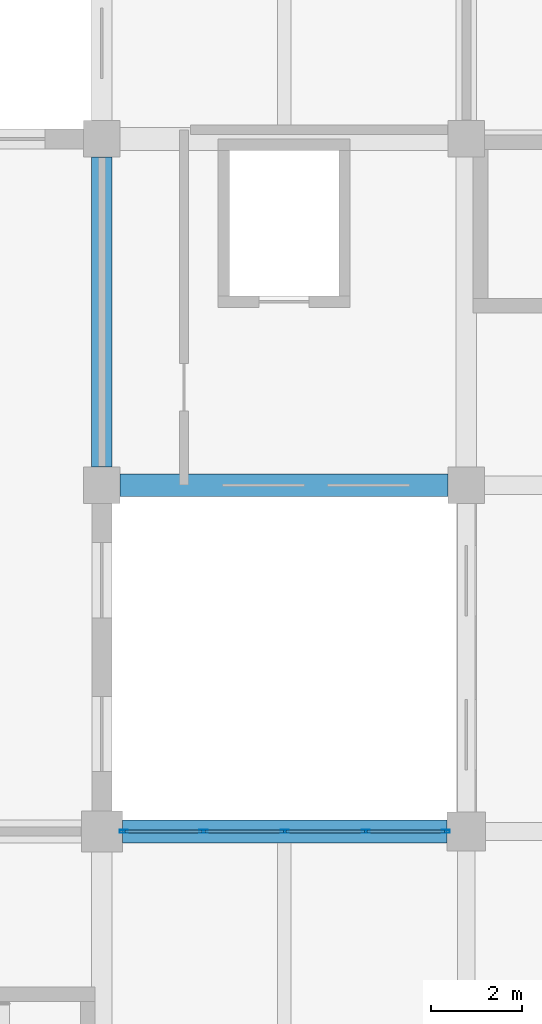
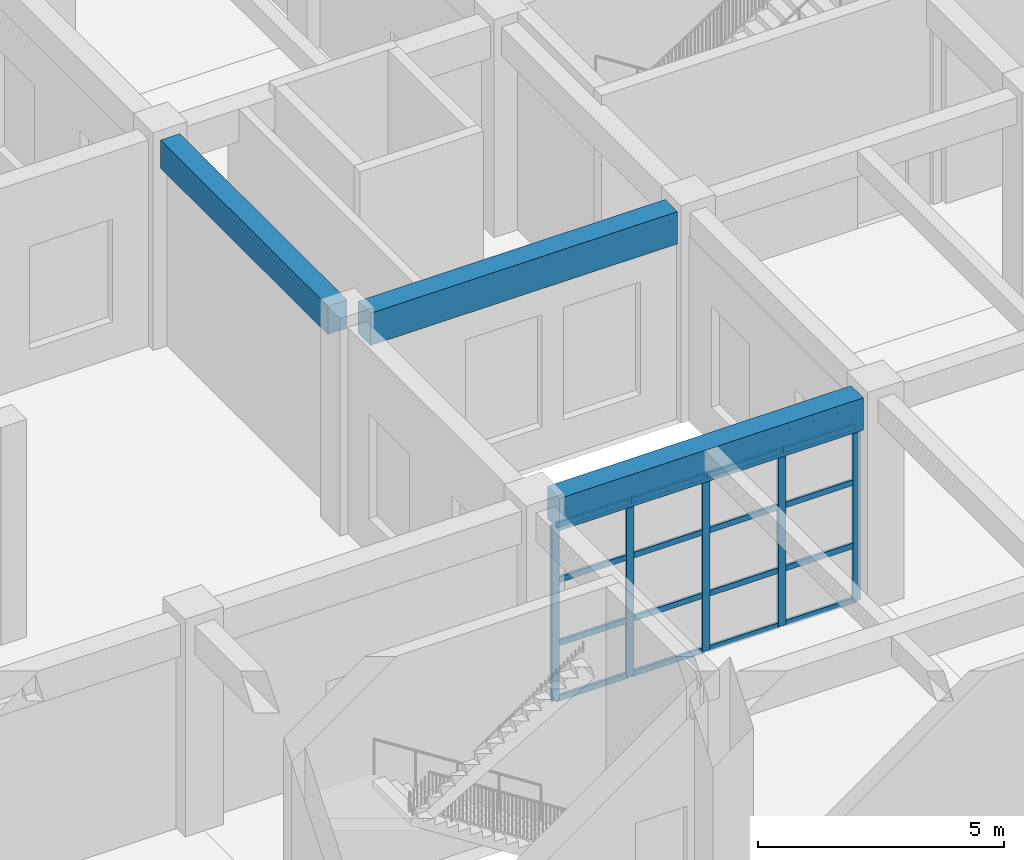
# One storey, part 45 of 95: 21 members, 3 beams, 1 element without a shape of its own.
"""IFC4 building model written with IfcOpenShell, lengths in metres."""

from ifc_helpers import new_model, si_unit, direction, frame, origin, origin_2d, place, context, subcontext, project, spatial, rectangle, hollow_rectangle, extrude, material, material_profile, profile_set, type_object, element, aggregate, save


model = new_model("IFC4")

# Units and contexts
model_context = context("Model", 3, precision=1e-05, world=origin(), true_north=direction((0.0, 1.0)))
body_context = subcontext(model_context, "Body", "Model", "MODEL_VIEW")
ifc_project = project(units=[si_unit("LENGTHUNIT", "METRE"), si_unit("AREAUNIT", "SQUARE_METRE"), si_unit("VOLUMEUNIT", "CUBIC_METRE"), si_unit("PLANEANGLEUNIT", "RADIAN"), si_unit("MASSUNIT", "GRAM", prefix="KILO")], contexts=[model_context])

# Site, building, storey
site_placement = place(None, origin())
site = spatial("IfcSite", under=ifc_project, at=site_placement, CompositionType="ELEMENT")
building_placement = place(site_placement, origin())
building = spatial("IfcBuilding", under=site, at=building_placement, Name="Zantavel Square City Hall", CompositionType="ELEMENT")
storey_placement = place(building_placement, origin())
storey = spatial("IfcBuildingStorey", under=building, at=storey_placement, Name="L01", CompositionType="ELEMENT", Elevation=0.0)

# Curtain wall, members
ifc_material_1 = material(Name="Anodised aluminium 6063-T6", Category="aluminium")
curtain_wall_type = type_object("IfcCurtainWallType", Name="Curtain Wall TRV1 7125x4360", PredefinedType="USERDEFINED", material=ifc_material_1)
curtain_wall_placement = place(storey_placement, origin())
curtain_wall = element("IfcCurtainWall", 1, at=curtain_wall_placement, inside=storey, type_object=curtain_wall_type, Name="L01 Glazed Curtain Wall CW-L01-020", ObjectType="GLAZED CURTAIN WALL", PredefinedType="USERDEFINED")
ifc_material_profile_1 = material_profile(ifc_material_1, hollow_rectangle(XDim=0.06494140625, YDim=0.179931640625, WallThickness=0.00390625, at=origin_2d()), Name="ALU 65x180x4")
ifc_profile_set_1 = profile_set([ifc_material_profile_1], Name="Anodised aluminium 6063-T6")
member_type_1 = type_object("IfcMemberType", Name="CW Mullion ALU 65x180x4", PredefinedType="MULLION", material=ifc_profile_set_1)
member_1_placement = place(storey_placement, frame((104.47998046875, 68.39990234375, 0.0), z_axis=(0.0, 0.0, 1.0), x_axis=(0.0, 1.0, 0.0)))
member_1 = element("IfcMember", 2, at=member_1_placement, type_object=member_type_1, Name="CW-020 mullion 1", PredefinedType="MULLION", context=body_context, shape_type="SweptSolid", body=[
    extrude(hollow_rectangle(XDim=0.06494140625, YDim=0.179931640625, WallThickness=0.00390625, at=origin_2d()), origin(), (0.0, 0.0, 1.0), 4.360107421875),
])
member_2_placement = place(storey_placement, frame((106.231201171875, 68.39990234375, 0.0), z_axis=(0.0, 0.0, 1.0), x_axis=(0.0, 1.0, 0.0)))
member_2 = element("IfcMember", 3, at=member_2_placement, type_object=member_type_1, Name="CW-020 mullion 2", PredefinedType="MULLION", context=body_context, shape_type="SweptSolid", body=[
    extrude(hollow_rectangle(XDim=0.06494140625, YDim=0.179931640625, WallThickness=0.00390625, at=origin_2d()), origin(), (0.0, 0.0, 1.0), 4.360107421875),
])
member_3_placement = place(storey_placement, frame((108.012451171875, 68.39990234375, 0.0), z_axis=(0.0, 0.0, 1.0), x_axis=(0.0, 1.0, 0.0)))
member_3 = element("IfcMember", 4, at=member_3_placement, type_object=member_type_1, Name="CW-020 mullion 3", PredefinedType="MULLION", context=body_context, shape_type="SweptSolid", body=[
    extrude(hollow_rectangle(XDim=0.06494140625, YDim=0.179931640625, WallThickness=0.00390625, at=origin_2d()), origin(), (0.0, 0.0, 1.0), 4.360107421875),
])
member_4_placement = place(storey_placement, frame((109.793701171875, 68.39990234375, 0.0), z_axis=(0.0, 0.0, 1.0), x_axis=(0.0, 1.0, 0.0)))
member_4 = element("IfcMember", 5, at=member_4_placement, type_object=member_type_1, Name="CW-020 mullion 4", PredefinedType="MULLION", context=body_context, shape_type="SweptSolid", body=[
    extrude(hollow_rectangle(XDim=0.06494140625, YDim=0.179931640625, WallThickness=0.00390625, at=origin_2d()), origin(), (0.0, 0.0, 1.0), 4.360107421875),
])
member_5_placement = place(storey_placement, frame((111.544921875, 68.39990234375, 0.0), z_axis=(0.0, 0.0, 1.0), x_axis=(0.0, 1.0, 0.0)))
member_5 = element("IfcMember", 6, at=member_5_placement, type_object=member_type_1, Name="CW-020 mullion 5", PredefinedType="MULLION", context=body_context, shape_type="SweptSolid", body=[
    extrude(hollow_rectangle(XDim=0.06494140625, YDim=0.179931640625, WallThickness=0.00390625, at=origin_2d()), origin(), (0.0, 0.0, 1.0), 4.360107421875),
])
ifc_material_profile_2 = material_profile(ifc_material_1, hollow_rectangle(XDim=0.06005859375, YDim=0.139892578125, WallThickness=0.00390625, at=origin_2d()), Name="ALU 60x140x4")
ifc_profile_set_2 = profile_set([ifc_material_profile_2], Name="Anodised aluminium 6063-T6")
member_type_2 = type_object("IfcMemberType", Name="CW Transom ALU 60x140x4", PredefinedType="USERDEFINED", material=ifc_profile_set_2)
member_6_placement = place(storey_placement, frame((104.510009765625, 68.39990234375, 0.030029296875), z_axis=(1.0, 0.0, 0.0), x_axis=(0.0, 1.0, 0.0)))
member_6 = element("IfcMember", 7, at=member_6_placement, type_object=member_type_2, Name="CW-020 transom 1.1", ObjectType="TRANSOM", PredefinedType="USERDEFINED", context=body_context, shape_type="SweptSolid", body=[
    extrude(hollow_rectangle(XDim=0.06005859375, YDim=0.139892578125, WallThickness=0.00390625, at=origin_2d()), origin(), (0.0, 0.0, 1.0), 1.691162109375),
])
member_7_placement = place(storey_placement, frame((104.510009765625, 68.39990234375, 1.39501953125), z_axis=(1.0, 0.0, 0.0), x_axis=(0.0, 1.0, 0.0)))
member_7 = element("IfcMember", 8, at=member_7_placement, type_object=member_type_2, Name="CW-020 transom 1.2", ObjectType="TRANSOM", PredefinedType="USERDEFINED", context=body_context, shape_type="SweptSolid", body=[
    extrude(hollow_rectangle(XDim=0.06005859375, YDim=0.139892578125, WallThickness=0.00390625, at=origin_2d()), origin(), (0.0, 0.0, 1.0), 1.691162109375),
])
member_8_placement = place(storey_placement, frame((104.510009765625, 68.39990234375, 2.965087890625), z_axis=(1.0, 0.0, 0.0), x_axis=(0.0, 1.0, 0.0)))
member_8 = element("IfcMember", 9, at=member_8_placement, type_object=member_type_2, Name="CW-020 transom 1.3", ObjectType="TRANSOM", PredefinedType="USERDEFINED", context=body_context, shape_type="SweptSolid", body=[
    extrude(hollow_rectangle(XDim=0.06005859375, YDim=0.139892578125, WallThickness=0.00390625, at=origin_2d()), origin(), (0.0, 0.0, 1.0), 1.691162109375),
])
member_9_placement = place(storey_placement, frame((104.510009765625, 68.39990234375, 4.330078125), z_axis=(1.0, 0.0, 0.0), x_axis=(0.0, 1.0, 0.0)))
member_9 = element("IfcMember", 10, at=member_9_placement, type_object=member_type_2, Name="CW-020 transom 1.4", ObjectType="TRANSOM", PredefinedType="USERDEFINED", context=body_context, shape_type="SweptSolid", body=[
    extrude(hollow_rectangle(XDim=0.06005859375, YDim=0.139892578125, WallThickness=0.00390625, at=origin_2d()), origin(), (0.0, 0.0, 1.0), 1.691162109375),
])
member_10_placement = place(storey_placement, frame((106.26123046875, 68.39990234375, 0.030029296875), z_axis=(1.0, 0.0, 0.0), x_axis=(0.0, 1.0, 0.0)))
member_10 = element("IfcMember", 11, at=member_10_placement, type_object=member_type_2, Name="CW-020 transom 2.1", ObjectType="TRANSOM", PredefinedType="USERDEFINED", context=body_context, shape_type="SweptSolid", body=[
    extrude(hollow_rectangle(XDim=0.06005859375, YDim=0.139892578125, WallThickness=0.00390625, at=origin_2d()), origin(), (0.0, 0.0, 1.0), 1.72119140625),
])
member_11_placement = place(storey_placement, frame((106.26123046875, 68.39990234375, 1.39501953125), z_axis=(1.0, 0.0, 0.0), x_axis=(0.0, 1.0, 0.0)))
member_11 = element("IfcMember", 12, at=member_11_placement, type_object=member_type_2, Name="CW-020 transom 2.2", ObjectType="TRANSOM", PredefinedType="USERDEFINED", context=body_context, shape_type="SweptSolid", body=[
    extrude(hollow_rectangle(XDim=0.06005859375, YDim=0.139892578125, WallThickness=0.00390625, at=origin_2d()), origin(), (0.0, 0.0, 1.0), 1.72119140625),
])
member_12_placement = place(storey_placement, frame((106.26123046875, 68.39990234375, 2.965087890625), z_axis=(1.0, 0.0, 0.0), x_axis=(0.0, 1.0, 0.0)))
member_12 = element("IfcMember", 13, at=member_12_placement, type_object=member_type_2, Name="CW-020 transom 2.3", ObjectType="TRANSOM", PredefinedType="USERDEFINED", context=body_context, shape_type="SweptSolid", body=[
    extrude(hollow_rectangle(XDim=0.06005859375, YDim=0.139892578125, WallThickness=0.00390625, at=origin_2d()), origin(), (0.0, 0.0, 1.0), 1.72119140625),
])
member_13_placement = place(storey_placement, frame((106.26123046875, 68.39990234375, 4.330078125), z_axis=(1.0, 0.0, 0.0), x_axis=(0.0, 1.0, 0.0)))
member_13 = element("IfcMember", 14, at=member_13_placement, type_object=member_type_2, Name="CW-020 transom 2.4", ObjectType="TRANSOM", PredefinedType="USERDEFINED", context=body_context, shape_type="SweptSolid", body=[
    extrude(hollow_rectangle(XDim=0.06005859375, YDim=0.139892578125, WallThickness=0.00390625, at=origin_2d()), origin(), (0.0, 0.0, 1.0), 1.72119140625),
])
member_14_placement = place(storey_placement, frame((108.04248046875, 68.39990234375, 0.030029296875), z_axis=(1.0, 0.0, 0.0), x_axis=(0.0, 1.0, 0.0)))
member_14 = element("IfcMember", 15, at=member_14_placement, type_object=member_type_2, Name="CW-020 transom 3.1", ObjectType="TRANSOM", PredefinedType="USERDEFINED", context=body_context, shape_type="SweptSolid", body=[
    extrude(hollow_rectangle(XDim=0.06005859375, YDim=0.139892578125, WallThickness=0.00390625, at=origin_2d()), origin(), (0.0, 0.0, 1.0), 1.72119140625),
])
member_15_placement = place(storey_placement, frame((108.04248046875, 68.39990234375, 1.39501953125), z_axis=(1.0, 0.0, 0.0), x_axis=(0.0, 1.0, 0.0)))
member_15 = element("IfcMember", 16, at=member_15_placement, type_object=member_type_2, Name="CW-020 transom 3.2", ObjectType="TRANSOM", PredefinedType="USERDEFINED", context=body_context, shape_type="SweptSolid", body=[
    extrude(hollow_rectangle(XDim=0.06005859375, YDim=0.139892578125, WallThickness=0.00390625, at=origin_2d()), origin(), (0.0, 0.0, 1.0), 1.72119140625),
])
member_16_placement = place(storey_placement, frame((108.04248046875, 68.39990234375, 2.965087890625), z_axis=(1.0, 0.0, 0.0), x_axis=(0.0, 1.0, 0.0)))
member_16 = element("IfcMember", 17, at=member_16_placement, type_object=member_type_2, Name="CW-020 transom 3.3", ObjectType="TRANSOM", PredefinedType="USERDEFINED", context=body_context, shape_type="SweptSolid", body=[
    extrude(hollow_rectangle(XDim=0.06005859375, YDim=0.139892578125, WallThickness=0.00390625, at=origin_2d()), origin(), (0.0, 0.0, 1.0), 1.72119140625),
])
member_17_placement = place(storey_placement, frame((108.04248046875, 68.39990234375, 4.330078125), z_axis=(1.0, 0.0, 0.0), x_axis=(0.0, 1.0, 0.0)))
member_17 = element("IfcMember", 18, at=member_17_placement, type_object=member_type_2, Name="CW-020 transom 3.4", ObjectType="TRANSOM", PredefinedType="USERDEFINED", context=body_context, shape_type="SweptSolid", body=[
    extrude(hollow_rectangle(XDim=0.06005859375, YDim=0.139892578125, WallThickness=0.00390625, at=origin_2d()), origin(), (0.0, 0.0, 1.0), 1.72119140625),
])
member_18_placement = place(storey_placement, frame((109.82373046875, 68.39990234375, 0.030029296875), z_axis=(1.0, 0.0, 0.0), x_axis=(0.0, 1.0, 0.0)))
member_18 = element("IfcMember", 19, at=member_18_placement, type_object=member_type_2, Name="CW-020 transom 4.1", ObjectType="TRANSOM", PredefinedType="USERDEFINED", context=body_context, shape_type="SweptSolid", body=[
    extrude(hollow_rectangle(XDim=0.06005859375, YDim=0.139892578125, WallThickness=0.00390625, at=origin_2d()), origin(), (0.0, 0.0, 1.0), 1.691162109375),
])
member_19_placement = place(storey_placement, frame((109.82373046875, 68.39990234375, 1.39501953125), z_axis=(1.0, 0.0, 0.0), x_axis=(0.0, 1.0, 0.0)))
member_19 = element("IfcMember", 20, at=member_19_placement, type_object=member_type_2, Name="CW-020 transom 4.2", ObjectType="TRANSOM", PredefinedType="USERDEFINED", context=body_context, shape_type="SweptSolid", body=[
    extrude(hollow_rectangle(XDim=0.06005859375, YDim=0.139892578125, WallThickness=0.00390625, at=origin_2d()), origin(), (0.0, 0.0, 1.0), 1.691162109375),
])
member_20_placement = place(storey_placement, frame((109.82373046875, 68.39990234375, 2.965087890625), z_axis=(1.0, 0.0, 0.0), x_axis=(0.0, 1.0, 0.0)))
member_20 = element("IfcMember", 21, at=member_20_placement, type_object=member_type_2, Name="CW-020 transom 4.3", ObjectType="TRANSOM", PredefinedType="USERDEFINED", context=body_context, shape_type="SweptSolid", body=[
    extrude(hollow_rectangle(XDim=0.06005859375, YDim=0.139892578125, WallThickness=0.00390625, at=origin_2d()), origin(), (0.0, 0.0, 1.0), 1.691162109375),
])
member_21_placement = place(storey_placement, frame((109.82373046875, 68.39990234375, 4.330078125), z_axis=(1.0, 0.0, 0.0), x_axis=(0.0, 1.0, 0.0)))
member_21 = element("IfcMember", 22, at=member_21_placement, type_object=member_type_2, Name="CW-020 transom 4.4", ObjectType="TRANSOM", PredefinedType="USERDEFINED", context=body_context, shape_type="SweptSolid", body=[
    extrude(hollow_rectangle(XDim=0.06005859375, YDim=0.139892578125, WallThickness=0.00390625, at=origin_2d()), origin(), (0.0, 0.0, 1.0), 1.691162109375),
])
aggregate(curtain_wall, [member_1, member_2, member_3, member_4, member_5, member_6, member_7, member_8, member_9, member_10, member_11, member_12, member_13, member_14, member_15, member_16, member_17, member_18, member_19, member_20, member_21])

# Beams
ifc_material_2 = material(Name="Concrete C35/45", Category="concrete")
ifc_material_profile_3 = material_profile(ifc_material_2, rectangle(XDim=0.449951171875, YDim=0.699951171875, at=origin_2d()), Name="RC 450x700")
ifc_profile_set_3 = profile_set([ifc_material_profile_3], Name="Concrete C35/45")
beam_type_1 = type_object("IfcBeamType", Name="Primary Girder RC 450x700 C35/45", PredefinedType="BEAM", material=ifc_profile_set_3)
beam_1_placement = place(storey_placement, frame((104.0, 76.39990234375, 4.81005859375), z_axis=(0.0, 1.0, 0.0), x_axis=(-1.0, 0.0, 0.0)))
element("IfcBeam", 23, at=beam_1_placement, inside=storey, type_object=beam_type_1, Name="L01 Beam BMY-L01-1040-0760", PredefinedType="BEAM", context=body_context, shape_type="SweptSolid", body=[
    extrude(rectangle(XDim=0.449951171875, YDim=0.699951171875, at=origin_2d()), origin(), (0.0, 0.0, 1.0), 6.800048828125),
])
ifc_material_profile_4 = material_profile(ifc_material_2, rectangle(XDim=0.5, YDim=0.800048828125, at=origin_2d()), Name="RC 500x800")
ifc_profile_set_4 = profile_set([ifc_material_profile_4], Name="Concrete C35/45")
beam_type_2 = type_object("IfcBeamType", Name="Primary Girder RC 500x800 C35/45", PredefinedType="BEAM", material=ifc_profile_set_4)
beam_2_placement = place(storey_placement, frame((104.449951171875, 68.39990234375, 4.760009765625), z_axis=(1.0, 0.0, 0.0), x_axis=(0.0, 1.0, 0.0)))
element("IfcBeam", 24, at=beam_2_placement, inside=storey, type_object=beam_type_2, Name="L01 Girder BMX-L01-1040-0684", PredefinedType="BEAM", context=body_context, shape_type="SweptSolid", body=[
    extrude(rectangle(XDim=0.5, YDim=0.800048828125, at=origin_2d()), origin(), (0.0, 0.0, 1.0), 7.125),
])
beam_3_placement = place(storey_placement, frame((104.39990234375, 76.0, 4.760009765625), z_axis=(1.0, 0.0, 0.0), x_axis=(0.0, 1.0, 0.0)))
element("IfcBeam", 25, at=beam_3_placement, inside=storey, type_object=beam_type_2, Name="L01 Girder BMX-L01-1040-0760", PredefinedType="BEAM", context=body_context, shape_type="SweptSolid", body=[
    extrude(rectangle(XDim=0.5, YDim=0.800048828125, at=origin_2d()), origin(), (0.0, 0.0, 1.0), 7.2001953125),
])

save(model, "model.ifc")
